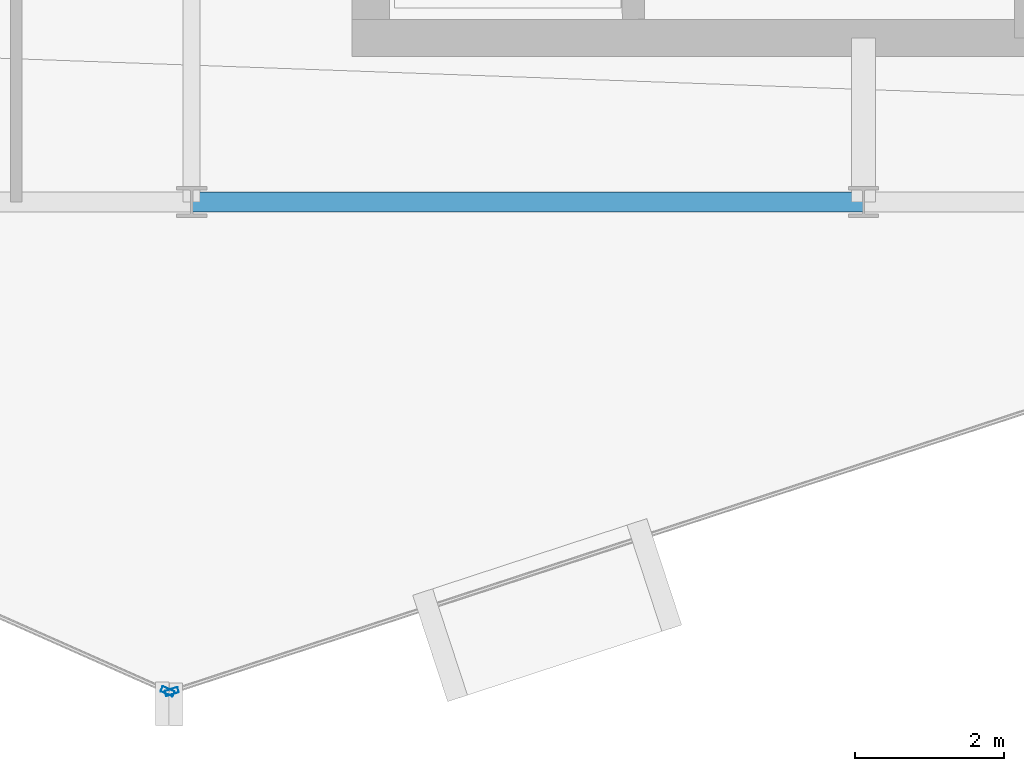
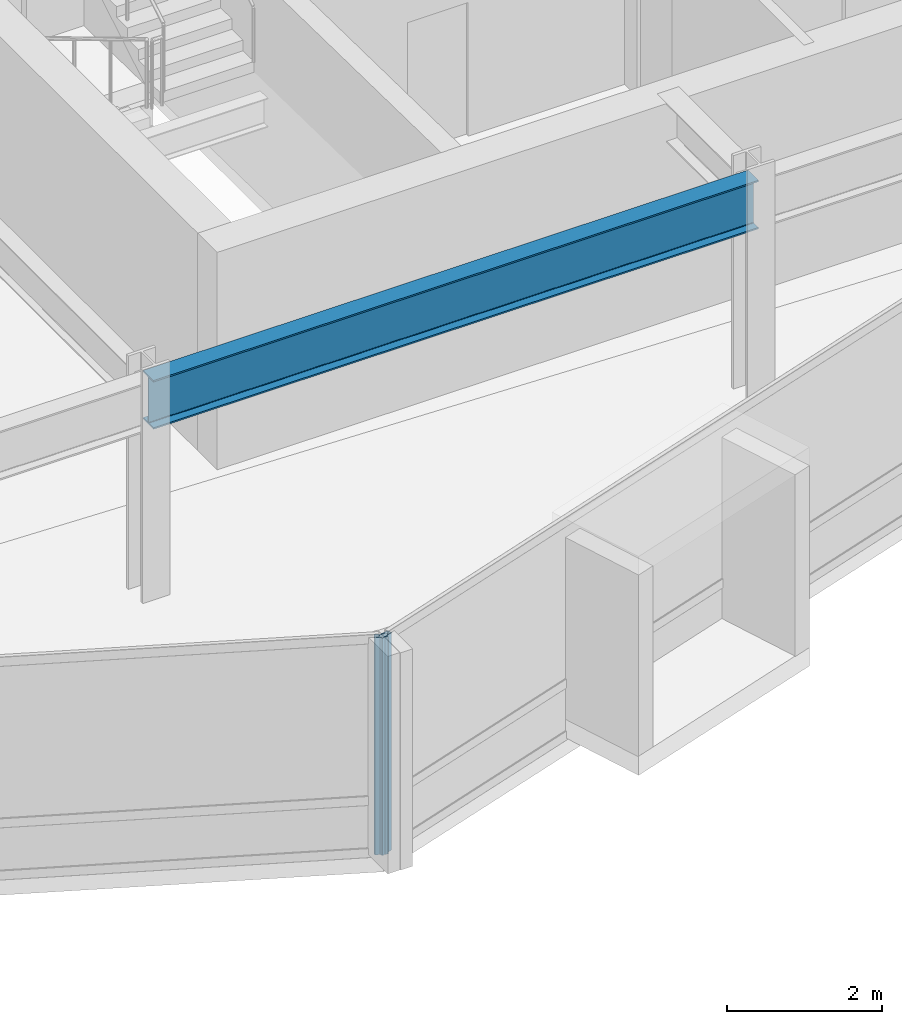
# One storey, part 4 of 27: 2 members, 1 beam, 2 elements without a shape of their own.
"""IFC4 building model written with IfcOpenShell, lengths in metres."""

from ifc_helpers import new_model, si_unit, direction, frame, origin, origin_2d, place, context, subcontext, project, spatial, hollow_rectangle, i_section, extrude, material, layer, layer_set, material_profile, profile_set, type_object, element, aggregate, save


model = new_model("IFC4")

# Units and contexts
model_context = context("Model", 3, precision=1e-05, world=origin(), true_north=direction((0.0, 1.0)))
body_context = subcontext(model_context, "Body", "Model", "MODEL_VIEW")
ifc_project = project(units=[si_unit("LENGTHUNIT", "METRE"), si_unit("AREAUNIT", "SQUARE_METRE"), si_unit("VOLUMEUNIT", "CUBIC_METRE"), si_unit("PLANEANGLEUNIT", "RADIAN"), si_unit("MASSUNIT", "GRAM", prefix="KILO")], contexts=[model_context])

# Site, building, storey
site_placement = place(None, origin())
site = spatial("IfcSite", under=ifc_project, at=site_placement, CompositionType="ELEMENT")
building_placement = place(site_placement, origin())
building = spatial("IfcBuilding", under=site, at=building_placement, Name="Solvaryn Broadcast Tower", CompositionType="ELEMENT")
storey_placement = place(building_placement, frame((0.0, 0.0, 189.0)))
storey = spatial("IfcBuildingStorey", under=building, at=storey_placement, Name="L47", CompositionType="ELEMENT", Elevation=189.0)

# Beam
ifc_material_1 = material(Name="Steel ASTM A992 Grade 50", Category="steel")
ifc_material_profile_1 = material_profile(ifc_material_1, i_section(OverallWidth=0.26708984375, OverallDepth=0.76611328125, WebThickness=0.014892578125, FlangeThickness=0.023681640625, FilletRadius=0.01806640625, at=origin_2d()))
ifc_profile_set_1 = profile_set([ifc_material_profile_1], Name="Steel ASTM A992 Grade 50")
beam_type = type_object("IfcBeamType", Name="BM-SP2-W30X124", PredefinedType="USERDEFINED", material=ifc_profile_set_1)
beam_placement = place(storey_placement, frame((27.0, 9.0, 3.037109375), z_axis=(1.0, 0.0, 0.0), x_axis=(0.0, 1.0, 0.0)))
element("IfcBeam", 1, at=beam_placement, inside=storey, type_object=beam_type, Name="L47 Spandrel Beam X (27-36 @ Y=9)", ObjectType="SPANDREL", PredefinedType="USERDEFINED", context=body_context, shape_type="SweptSolid", body=[
    extrude(i_section(OverallWidth=0.26708984375, OverallDepth=0.76611328125, WebThickness=0.014892578125, FlangeThickness=0.023681640625, FilletRadius=0.01806640625, at=origin_2d()), origin(), (0.0, 0.0, 1.0), 9.0),
])

# Curtain wall, member
ifc_material_2 = material(Name="Aluminium and Terracotta Unitised Curtain Wall", Category="masonry")
ifc_layer = layer(ifc_material_2, 0.199951171875)
ifc_layer_set = layer_set([ifc_layer], Name="CW-SYS2-LOWMID")
curtain_wall_type = type_object("IfcCurtainWallType", Name="CW-SYS2-LOWMID", PredefinedType="NOTDEFINED", material=ifc_layer_set)
curtain_wall_1_placement = place(storey_placement, origin())
curtain_wall_1 = element("IfcCurtainWall", 2, at=curtain_wall_1_placement, inside=storey, type_object=curtain_wall_type, Name="L47 Curtain Wall DR3", PredefinedType="NOTDEFINED")
ifc_material_3 = material(Name="Anodised Aluminium 6063-T6", Category="aluminium")
ifc_material_profile_2 = material_profile(ifc_material_3, hollow_rectangle(XDim=0.074951171875, YDim=0.179931640625, WallThickness=0.00390625, InnerFilletRadius=0.00390625, OuterFilletRadius=0.008056640625, at=origin_2d()))
ifc_profile_set_2 = profile_set([ifc_material_profile_2], Name="Anodised Aluminium 6063-T6")
member_type = type_object("IfcMemberType", Name="CW-MUL-180", PredefinedType="MULLION", material=ifc_profile_set_2)
member_1_placement = place(storey_placement, frame((26.678466796875, 2.445068359375, 0.0), z_axis=(0.0, 0.0, 1.0), x_axis=(0.405901337237, 0.913916902365, 0.0)))
member_1 = element("IfcMember", 3, at=member_1_placement, type_object=member_type, Name="CWS2 mullion 2", PredefinedType="MULLION", context=body_context, shape_type="SweptSolid", body=[
    extrude(hollow_rectangle(XDim=0.074951171875, YDim=0.179931640625, WallThickness=0.00390625, InnerFilletRadius=0.00390625, OuterFilletRadius=0.008056640625, at=origin_2d()), origin(), (0.0, 0.0, 1.0), 3.419921875),
])
aggregate(curtain_wall_1, [member_1])

curtain_wall_2_placement = place(storey_placement, origin())
curtain_wall_2 = element("IfcCurtainWall", 4, at=curtain_wall_2_placement, inside=storey, type_object=curtain_wall_type, Name="L47 Curtain Wall DR4", PredefinedType="NOTDEFINED")
member_2_placement = place(storey_placement, frame((26.734619140625, 2.4423828125, 0.0), z_axis=(0.0, 0.0, 1.0), x_axis=(-0.311558717623, 0.950226902099, 0.0)))
member_2 = element("IfcMember", 5, at=member_2_placement, type_object=member_type, Name="CWS2 mullion 1", PredefinedType="MULLION", context=body_context, shape_type="SweptSolid", body=[
    extrude(hollow_rectangle(XDim=0.074951171875, YDim=0.179931640625, WallThickness=0.00390625, InnerFilletRadius=0.00390625, OuterFilletRadius=0.008056640625, at=origin_2d()), origin(), (0.0, 0.0, 1.0), 3.419921875),
])
aggregate(curtain_wall_2, [member_2])

save(model, "model.ifc")
